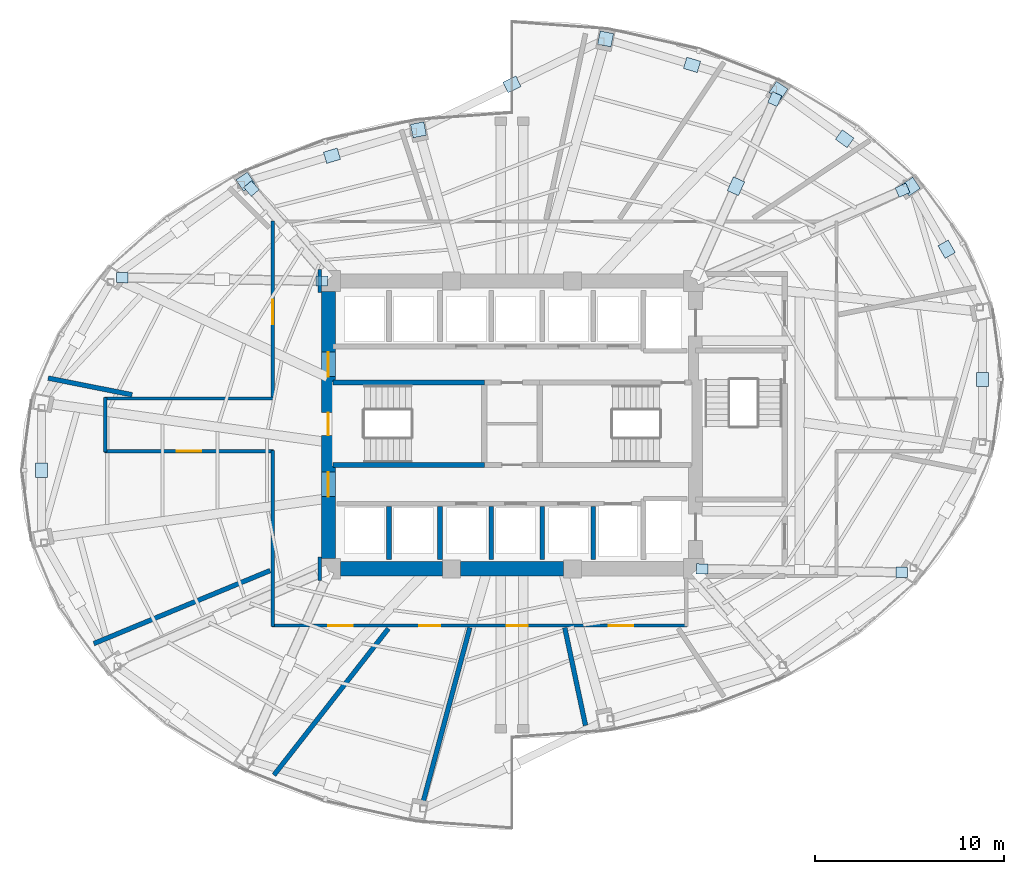
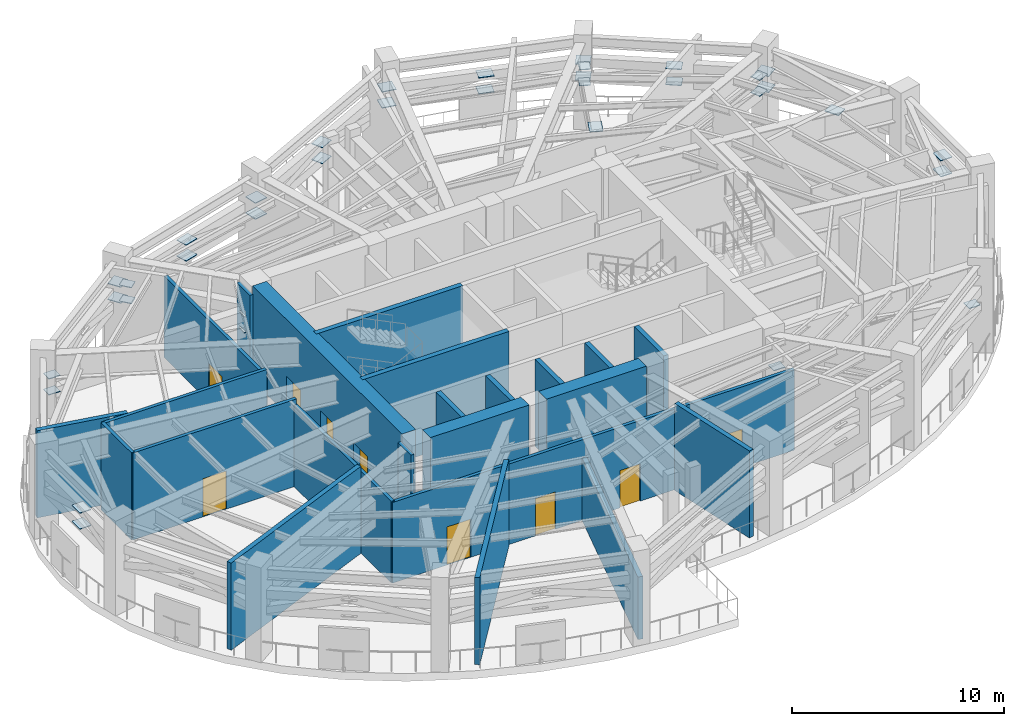
# One storey, part 7 of 12: 36 plates, 23 walls, 9 doors, 9 openings.
"""IFC4 building model written with IfcOpenShell, lengths in metres."""

from ifc_helpers import new_model, si_unit, direction, frame, frame_2d, origin, origin_2d, place, context, subcontext, project, spatial, rectangle, extrude, material, layer, layer_set, type_object, element, fill, save


model = new_model("IFC4")

# Units and contexts
model_context = context("Model", 3, precision=1e-05, world=origin(), true_north=direction((0.0, 1.0)))
body_context = subcontext(model_context, "Body", "Model", "MODEL_VIEW")
ifc_project = project(units=[si_unit("LENGTHUNIT", "METRE"), si_unit("AREAUNIT", "SQUARE_METRE"), si_unit("VOLUMEUNIT", "CUBIC_METRE"), si_unit("PLANEANGLEUNIT", "RADIAN"), si_unit("MASSUNIT", "GRAM", prefix="KILO")], contexts=[model_context])

# Site, building, storey
site_placement = place(None, origin())
site = spatial("IfcSite", under=ifc_project, at=site_placement, CompositionType="ELEMENT")
building_placement = place(site_placement, origin())
building = spatial("IfcBuilding", under=site, at=building_placement, Name="Lazwardi Medical Tower", CompositionType="ELEMENT")
storey_placement = place(building_placement, frame((0.0, 0.0, 132.81591796875)))
storey = spatial("IfcBuildingStorey", under=building, at=storey_placement, Name="L34", CompositionType="ELEMENT", Elevation=132.81591796875)

# Plates
ifc_material_1 = material(Name="Steel S460", Category="steel")
ifc_layer_1 = layer(ifc_material_1, 0.0400390625)
ifc_layer_set_1 = layer_set([ifc_layer_1], Name="Steel S460")
plate_type = type_object("IfcPlateType", Name="PLT-GUS-01", PredefinedType="USERDEFINED", material=ifc_layer_set_1)
for number, where, z_axis, x_axis, name in (
    (1, (60.86279296875, 30.39990234375, 3.580078125), (0.0, 0.0, 1.0), (0.0, 1.0, 0.0), "Belt truss gusset plate GP-01 T04 L34"),
    (2, (60.86279296875, 30.39990234375, 2.66015625), (0.0, 0.0, 1.0), (0.0, 1.0, 0.0), "Belt truss gusset plate GP-01 B04 L34"),
    (3, (58.97021484375, 37.287353515625, 2.66015625), (0.0, 0.0, 1.0), (-0.49667102347, 0.867938877136, 0.0), "Belt truss gusset plate GP-01 B05 L34"),
):
    element("IfcPlate", number, at=place(storey_placement, frame(where, z_axis=z_axis, x_axis=x_axis)), inside=storey, type_object=plate_type, Name=name, ObjectType="GUSSET_PLATE", PredefinedType="USERDEFINED", context=body_context, shape_type="SweptSolid", body=[
        extrude(rectangle(XDim=0.760009765625, YDim=0.6201171875, at=origin_2d()), origin(), (0.0, 0.0, 1.0), 0.0400390625),
    ])
for number, where, z_axis, x_axis, name in (
    (4, (57.077880859375, 40.5947265625, 2.66015625), (0.0, 0.0, 1.0), (0.831469612303, 0.55557023302, 0.0), "Belt truss column gusset plate GP-01 MB06 L34"),
    (5, (57.077880859375, 40.5947265625, 3.580078125), (0.0, 0.0, 1.0), (0.831469612303, 0.55557023302, 0.0), "Belt truss column gusset plate GP-01 MT06 L34"),
):
    element("IfcPlate", number, at=place(storey_placement, frame(where, z_axis=z_axis, x_axis=x_axis)), inside=storey, type_object=plate_type, Name=name, ObjectType="GUSSET_PLATE", PredefinedType="USERDEFINED", context=body_context, shape_type="SweptSolid", body=[
        extrude(rectangle(XDim=0.719970703125, YDim=0.719970703125, at=origin_2d()), origin(), (0.0, 0.0, 1.0), 0.0400390625),
    ])
for number, where, z_axis, x_axis, name in (
    (6, (53.580810546875, 43.126220703125, 3.580078125), (0.0, 0.0, 1.0), (-0.810041640446, 0.586372356736, 0.0), "Belt truss gusset plate GP-01 T06 L34"),
    (7, (53.580810546875, 43.126220703125, 2.66015625), (0.0, 0.0, 1.0), (-0.810041640446, 0.586372356736, 0.0), "Belt truss gusset plate GP-01 B06 L34"),
):
    element("IfcPlate", number, at=place(storey_placement, frame(where, z_axis=z_axis, x_axis=x_axis)), inside=storey, type_object=plate_type, Name=name, ObjectType="GUSSET_PLATE", PredefinedType="USERDEFINED", context=body_context, shape_type="SweptSolid", body=[
        extrude(rectangle(XDim=0.760009765625, YDim=0.6201171875, at=origin_2d()), origin(), (0.0, 0.0, 1.0), 0.0400390625),
    ])
for number, where, z_axis, x_axis, name in (
    (8, (50.083740234375, 45.657470703125, 2.66015625), (0.0, 0.0, 1.0), (0.55557023302, 0.831469612303, 0.0), "Belt truss column gusset plate GP-01 MB07 L34"),
    (9, (50.083740234375, 45.657470703125, 3.580078125), (0.0, 0.0, 1.0), (0.55557023302, 0.831469612303, 0.0), "Belt truss column gusset plate GP-01 MT07 L34"),
):
    element("IfcPlate", number, at=place(storey_placement, frame(where, z_axis=z_axis, x_axis=x_axis)), inside=storey, type_object=plate_type, Name=name, ObjectType="GUSSET_PLATE", PredefinedType="USERDEFINED", context=body_context, shape_type="SweptSolid", body=[
        extrude(rectangle(XDim=0.719970703125, YDim=0.719970703125, at=origin_2d()), origin(), (0.0, 0.0, 1.0), 0.0400390625),
    ])
for number, where, z_axis, x_axis, name in (
    (10, (45.5146484375, 47.027587890625, 3.580078125), (0.0, 0.0, 1.0), (-0.957872634129, 0.287193343912, 0.0), "Belt truss gusset plate GP-01 T07 L34"),
    (11, (45.5146484375, 47.027587890625, 2.66015625), (0.0, 0.0, 1.0), (-0.957872634129, 0.287193343912, 0.0), "Belt truss gusset plate GP-01 B07 L34"),
):
    element("IfcPlate", number, at=place(storey_placement, frame(where, z_axis=z_axis, x_axis=x_axis)), inside=storey, type_object=plate_type, Name=name, ObjectType="GUSSET_PLATE", PredefinedType="USERDEFINED", context=body_context, shape_type="SweptSolid", body=[
        extrude(rectangle(XDim=0.760009765625, YDim=0.6201171875, at=origin_2d()), origin(), (0.0, 0.0, 1.0), 0.0400390625),
    ])
for number, where, z_axis, x_axis, name in (
    (12, (40.945556640625, 48.3974609375, 2.66015625), (0.0, 0.0, 1.0), (0.195090322016, 0.980785280403, 0.0), "Belt truss column gusset plate GP-01 MB08 L34"),
    (13, (40.945556640625, 48.3974609375, 3.580078125), (0.0, 0.0, 1.0), (0.195090322016, 0.980785280403, 0.0), "Belt truss column gusset plate GP-01 MT08 L34"),
):
    element("IfcPlate", number, at=place(storey_placement, frame(where, z_axis=z_axis, x_axis=x_axis)), inside=storey, type_object=plate_type, Name=name, ObjectType="GUSSET_PLATE", PredefinedType="USERDEFINED", context=body_context, shape_type="SweptSolid", body=[
        extrude(rectangle(XDim=0.719970703125, YDim=0.719970703125, at=origin_2d()), origin(), (0.0, 0.0, 1.0), 0.0400390625),
    ])
for number, where, z_axis, x_axis, name in (
    (14, (36.0, 45.997314453125, 3.580078125), (0.0, 0.0, 1.0), (-0.899634001548, -0.436644779265, 0.0), "Belt truss gusset plate GP-01 T08 L34"),
    (15, (36.0, 45.997314453125, 2.66015625), (0.0, 0.0, 1.0), (-0.899634001548, -0.436644779265, 0.0), "Belt truss gusset plate GP-01 B08 L34"),
):
    element("IfcPlate", number, at=place(storey_placement, frame(where, z_axis=z_axis, x_axis=x_axis)), inside=storey, type_object=plate_type, Name=name, ObjectType="GUSSET_PLATE", PredefinedType="USERDEFINED", context=body_context, shape_type="SweptSolid", body=[
        extrude(rectangle(XDim=0.760009765625, YDim=0.6201171875, at=origin_2d()), origin(), (0.0, 0.0, 1.0), 0.0400390625),
    ])
for number, where, z_axis, x_axis, name in (
    (16, (31.054443359375, 43.597412109375, 2.66015625), (0.0, 0.0, 1.0), (-0.195090322016, 0.980785280403, 0.0), "Belt truss column gusset plate GP-01 MB09 L34"),
    (17, (31.054443359375, 43.597412109375, 3.580078125), (0.0, 0.0, 1.0), (-0.195090322016, 0.980785280403, 0.0), "Belt truss column gusset plate GP-01 MT09 L34"),
):
    element("IfcPlate", number, at=place(storey_placement, frame(where, z_axis=z_axis, x_axis=x_axis)), inside=storey, type_object=plate_type, Name=name, ObjectType="GUSSET_PLATE", PredefinedType="USERDEFINED", context=body_context, shape_type="SweptSolid", body=[
        extrude(rectangle(XDim=0.719970703125, YDim=0.719970703125, at=origin_2d()), origin(), (0.0, 0.0, 1.0), 0.0400390625),
    ])
for number, where, z_axis, x_axis, name in (
    (18, (26.4853515625, 42.2275390625, 3.580078125), (0.0, 0.0, 1.0), (-0.957872634129, -0.287193343912, 0.0), "Belt truss gusset plate GP-01 T09 L34"),
    (19, (26.4853515625, 42.2275390625, 2.66015625), (0.0, 0.0, 1.0), (-0.957872634129, -0.287193343912, 0.0), "Belt truss gusset plate GP-01 B09 L34"),
):
    element("IfcPlate", number, at=place(storey_placement, frame(where, z_axis=z_axis, x_axis=x_axis)), inside=storey, type_object=plate_type, Name=name, ObjectType="GUSSET_PLATE", PredefinedType="USERDEFINED", context=body_context, shape_type="SweptSolid", body=[
        extrude(rectangle(XDim=0.760009765625, YDim=0.6201171875, at=origin_2d()), origin(), (0.0, 0.0, 1.0), 0.0400390625),
    ])
for number, where, z_axis, x_axis, name in (
    (20, (21.916259765625, 40.857421875, 2.66015625), (0.0, 0.0, 1.0), (-0.55557023302, 0.831469612303, 0.0), "Belt truss column gusset plate GP-01 MB10 L34"),
    (21, (21.916259765625, 40.857421875, 3.580078125), (0.0, 0.0, 1.0), (-0.55557023302, 0.831469612303, 0.0), "Belt truss column gusset plate GP-01 MT10 L34"),
):
    element("IfcPlate", number, at=place(storey_placement, frame(where, z_axis=z_axis, x_axis=x_axis)), inside=storey, type_object=plate_type, Name=name, ObjectType="GUSSET_PLATE", PredefinedType="USERDEFINED", context=body_context, shape_type="SweptSolid", body=[
        extrude(rectangle(XDim=0.719970703125, YDim=0.719970703125, at=origin_2d()), origin(), (0.0, 0.0, 1.0), 0.0400390625),
    ])
for number, where, z_axis, x_axis, name in (
    (22, (11.13720703125, 25.60009765625, 3.580078125), (0.0, 0.0, 1.0), (0.0, -1.0, 0.0), "Belt truss gusset plate GP-01 T12 L34"),
    (23, (11.13720703125, 25.60009765625, 2.66015625), (0.0, 0.0, 1.0), (0.0, -1.0, 0.0), "Belt truss gusset plate GP-01 B12 L34"),
):
    element("IfcPlate", number, at=place(storey_placement, frame(where, z_axis=z_axis, x_axis=x_axis)), inside=storey, type_object=plate_type, Name=name, ObjectType="GUSSET_PLATE", PredefinedType="USERDEFINED", context=body_context, shape_type="SweptSolid", body=[
        extrude(rectangle(XDim=0.760009765625, YDim=0.6201171875, at=origin_2d()), origin(), (0.0, 0.0, 1.0), 0.0400390625),
    ])
for number, where, z_axis, x_axis, name in (
    (24, (46.0498046875, 20.392333984375, 2.66015625), (0.0, 0.0, 1.0), (0.999856696158, -0.01692888504, 0.0), "Outrigger core gusset plate GP-01 OR4CB L34"),
    (25, (56.597900390625, 20.21337890625, 2.66015625), (0.0, 0.0, 1.0), (0.999856696158, -0.01692888504, 0.0), "Outrigger perimeter gusset plate GP-01 OR4MB L34"),
    (26, (56.6376953125, 40.4033203125, 2.66015625), (0.0, 0.0, 1.0), (0.916920828835, 0.39906915898, 0.0), "Outrigger perimeter gusset plate GP-01 OR5MB L34"),
    (27, (56.6376953125, 40.4033203125, 3.580078125), (0.0, 0.0, 1.0), (0.916920828835, 0.39906915898, 0.0), "Outrigger perimeter gusset plate GP-01 OR5MT L34"),
):
    element("IfcPlate", number, at=place(storey_placement, frame(where, z_axis=z_axis, x_axis=x_axis)), inside=storey, type_object=plate_type, Name=name, ObjectType="GUSSET_PLATE", PredefinedType="USERDEFINED", context=body_context, shape_type="SweptSolid", body=[
        extrude(rectangle(XDim=0.6201171875, YDim=0.5400390625, at=origin_2d()), origin(), (0.0, 0.0, 1.0), 0.0400390625),
    ])
plate_placement = place(storey_placement, frame((47.835693359375, 40.614990234375, 3.580078125), z_axis=(0.0, 0.0, 1.0), x_axis=(0.407214918582, 0.913332365617, 0.0)))
element("IfcPlate", 28, at=plate_placement, inside=storey, type_object=plate_type, Name="Outrigger truss gusset plate GP-01 OR6 L34", ObjectType="GUSSET_PLATE", PredefinedType="USERDEFINED", context=body_context, shape_type="SweptSolid", body=[
    extrude(rectangle(XDim=0.800048828125, YDim=0.64990234375, at=origin_2d()), origin(), (0.0, 0.0, 1.0), 0.0400390625),
])
for number, where, z_axis, x_axis, name in (
    (29, (49.88818359375, 45.218994140625, 2.66015625), (0.0, 0.0, 1.0), (0.407214918582, 0.913332365617, 0.0), "Outrigger perimeter gusset plate GP-01 OR6MB L34"),
    (30, (49.88818359375, 45.218994140625, 3.580078125), (0.0, 0.0, 1.0), (0.407214918582, 0.913332365617, 0.0), "Outrigger perimeter gusset plate GP-01 OR6MT L34"),
    (31, (22.227783203125, 40.4921875, 2.66015625), (0.0, 0.0, 1.0), (-0.648917026597, 0.760859180527, 0.0), "Outrigger perimeter gusset plate GP-01 OR7MB L34"),
    (32, (22.227783203125, 40.4921875, 3.580078125), (0.0, 0.0, 1.0), (-0.648917026597, 0.760859180527, 0.0), "Outrigger perimeter gusset plate GP-01 OR7MT L34"),
    (33, (25.9501953125, 35.607666015625, 2.66015625), (0.0, 0.0, 1.0), (-0.999856696158, 0.01692888504, 0.0), "Outrigger core gusset plate GP-01 OR8CB L34"),
    (34, (25.9501953125, 35.607666015625, 3.580078125), (0.0, 0.0, 1.0), (-0.999856696158, 0.01692888504, 0.0), "Outrigger core gusset plate GP-01 OR8CT L34"),
    (35, (15.402099609375, 35.78662109375, 2.66015625), (0.0, 0.0, 1.0), (-0.999856696158, 0.01692888504, 0.0), "Outrigger perimeter gusset plate GP-01 OR8MB L34"),
    (36, (15.402099609375, 35.78662109375, 3.580078125), (0.0, 0.0, 1.0), (-0.999856696158, 0.01692888504, 0.0), "Outrigger perimeter gusset plate GP-01 OR8MT L34"),
):
    element("IfcPlate", number, at=place(storey_placement, frame(where, z_axis=z_axis, x_axis=x_axis)), inside=storey, type_object=plate_type, Name=name, ObjectType="GUSSET_PLATE", PredefinedType="USERDEFINED", context=body_context, shape_type="SweptSolid", body=[
        extrude(rectangle(XDim=0.6201171875, YDim=0.5400390625, at=origin_2d()), origin(), (0.0, 0.0, 1.0), 0.0400390625),
    ])

# Walls
ifc_material_2 = material(Name="Fire-rated gypsum board on steel stud", Category="steel")
ifc_layer_2 = layer(ifc_material_2, 0.179931640625)
ifc_layer_set_2 = layer_set([ifc_layer_2], Name="Fire-rated gypsum board on steel stud")
wall_type_1 = type_object("IfcWallType", Name="WL-COR-180", PredefinedType="PARTITIONING", material=ifc_layer_set_2)
wall_1_placement = place(storey_placement, frame((14.5, 26.56005859375, 0.0), z_axis=(0.0, 0.0, 1.0), x_axis=(0.0, 1.0, 0.0)))
element("IfcWall", 37, at=wall_1_placement, inside=storey, type_object=wall_type_1, Name="L34 Corridor partition 1", PredefinedType="PARTITIONING", context=body_context, shape_type="SweptSolid", body=[
    extrude(rectangle(XDim=2.8798828125, YDim=0.179931640625, at=frame_2d((1.43994140625, 0.0))), origin(), (0.0, 0.0, 1.0), 5.02197265625),
])
wall_2_placement = place(storey_placement, frame((14.4599609375, 29.39990234375, 0.0), z_axis=(0.0, 0.0, 1.0), x_axis=(1.0, 0.0, 0.0)))
element("IfcWall", 38, at=wall_2_placement, inside=storey, type_object=wall_type_1, Name="L34 Corridor partition 2", PredefinedType="PARTITIONING", context=body_context, shape_type="SweptSolid", body=[
    extrude(rectangle(XDim=8.929931640625, YDim=0.179931640625, at=frame_2d((4.46484375, 0.0))), origin(), (0.0, 0.0, 1.0), 5.02197265625),
])

# Wall, opening, door
wall_3_placement = place(storey_placement, frame((23.35009765625, 29.360107421875, 0.0), z_axis=(0.0, 0.0, 1.0), x_axis=(0.0, 1.0, 0.0)))
wall_3 = element("IfcWall", 39, at=wall_3_placement, inside=storey, type_object=wall_type_1, Name="L34 Corridor partition 3", PredefinedType="PARTITIONING", context=body_context, shape_type="SweptSolid", body=[
    extrude(rectangle(XDim=9.429931640625, YDim=0.179931640625, at=frame_2d((4.71484375, 0.0))), origin(), (0.0, 0.0, 1.0), 4.70703125),
])
opening_1_placement = place(wall_3_placement, frame((3.967529296875, 0.0, 0.0)))
opening_1 = element("IfcOpeningElement", 40, at=opening_1_placement, cuts=wall_3, Name="Opening D-L34-019", PredefinedType="OPENING", context=body_context, shape_type="SweptSolid", body=[
    extrude(rectangle(XDim=1.300048828125, YDim=2.199951171875, at=frame_2d((0.64990234375, 1.10009765625))), frame((0.0, 0.099853515625, 0.0), z_axis=(0.0, -1.0, 0.0), x_axis=(1.0, 0.0, 0.0)), (0.0, 0.0, 1.0), 0.199951171875),
])
ifc_material_3 = material(Name="Fire-rated steel leaf and frame", Category="steel")
door_type_1 = type_object("IfcDoorType", Name="DR-FFL-1300", OperationType="NOTDEFINED", PredefinedType="DOOR", material=ifc_material_3)
door_1_placement = place(opening_1_placement, origin())
door_1 = element("IfcDoor", 41, at=door_1_placement, inside=storey, type_object=door_type_1, Name="L34 Area of Refuge Door 13", OperationType="SINGLE_SWING_LEFT", OverallHeight=2.199951171875, OverallWidth=1.300048828125, PredefinedType="DOOR", context=body_context, shape_type="SweptSolid", body=[
    extrude(rectangle(XDim=1.300048828125, YDim=2.199951171875, at=frame_2d((0.64990234375, 1.10009765625))), frame((0.0, 0.02490234375, 0.0), z_axis=(0.0, -1.0, 0.0), x_axis=(1.0, 0.0, 0.0)), (0.0, 0.0, 1.0), 0.050048828125),
])
fill(opening_1, door_1)

# Walls
for number, where, z_axis, x_axis, name in (
    (42, (25.830078125, 36.2099609375, 0.0), (0.0, 0.0, 1.0), (0.0, -1.0, 0.0), "L34 Corridor partition 11"),
    (43, (25.830078125, 21.010009765625, 0.0), (0.0, 0.0, 1.0), (0.0, -1.0, 0.0), "L34 Corridor partition 12"),
):
    element("IfcWall", number, at=place(storey_placement, frame(where, z_axis=z_axis, x_axis=x_axis)), inside=storey, type_object=wall_type_1, Name=name, PredefinedType="PARTITIONING", context=body_context, shape_type="SweptSolid", body=[
        extrude(rectangle(XDim=1.219970703125, YDim=0.179931640625, at=frame_2d((0.60986328125, 0.0))), origin(), (0.0, 0.0, 1.0), 5.02197265625),
    ])

# Wall, openings, doors
wall_4_placement = place(storey_placement, frame((45.239990234375, 17.39990234375, 0.0), z_axis=(0.0, 0.0, 1.0), x_axis=(-1.0, 0.0, 0.0)))
wall_4 = element("IfcWall", 44, at=wall_4_placement, inside=storey, type_object=wall_type_1, Name="L34 Corridor partition 14", PredefinedType="PARTITIONING", context=body_context, shape_type="SweptSolid", body=[
    extrude(rectangle(XDim=21.929931640625, YDim=0.179931640625, at=frame_2d((10.96484375, 0.0))), origin(), (0.0, 0.0, 1.0), 4.64697265625),
])
opening_2_placement = place(wall_4_placement, frame((17.659423828125, 0.0, 0.0)))
opening_2 = element("IfcOpeningElement", 45, at=opening_2_placement, cuts=wall_4, Name="Opening D-L34-008", PredefinedType="OPENING", context=body_context, shape_type="SweptSolid", body=[
    extrude(rectangle(XDim=1.300048828125, YDim=2.199951171875, at=frame_2d((0.64990234375, 1.10009765625))), frame((0.0, 0.099853515625, 0.0), z_axis=(0.0, -1.0, 0.0), x_axis=(1.0, 0.0, 0.0)), (0.0, 0.0, 1.0), 0.199951171875),
])
opening_3_placement = place(wall_4_placement, frame((13.034912109375, 0.0, 0.0)))
opening_3 = element("IfcOpeningElement", 46, at=opening_3_placement, cuts=wall_4, Name="Opening D-L34-009", PredefinedType="OPENING", context=body_context, shape_type="SweptSolid", body=[
    extrude(rectangle(XDim=1.10009765625, YDim=2.14990234375, at=frame_2d((0.550048828125, 1.074951171875))), frame((0.0, 0.099853515625, 0.0), z_axis=(0.0, -1.0, 0.0), x_axis=(1.0, 0.0, 0.0)), (0.0, 0.0, 1.0), 0.199951171875),
])
opening_4_placement = place(wall_4_placement, frame((8.40869140625, 0.0, 0.0)))
opening_4 = element("IfcOpeningElement", 47, at=opening_4_placement, cuts=wall_4, Name="Opening D-L34-010", PredefinedType="OPENING", context=body_context, shape_type="SweptSolid", body=[
    extrude(rectangle(XDim=1.10009765625, YDim=2.14990234375, at=frame_2d((0.550048828125, 1.074951171875))), frame((0.0, 0.099853515625, 0.0), z_axis=(0.0, -1.0, 0.0), x_axis=(1.0, 0.0, 0.0)), (0.0, 0.0, 1.0), 0.199951171875),
])
opening_5_placement = place(wall_4_placement, frame((2.83056640625, 0.0, 0.0)))
opening_5 = element("IfcOpeningElement", 48, at=opening_5_placement, cuts=wall_4, Name="Opening D-L34-011", PredefinedType="OPENING", context=body_context, shape_type="SweptSolid", body=[
    extrude(rectangle(XDim=1.300048828125, YDim=2.199951171875, at=frame_2d((0.64990234375, 1.10009765625))), frame((0.0, 0.099853515625, 0.0), z_axis=(0.0, -1.0, 0.0), x_axis=(1.0, 0.0, 0.0)), (0.0, 0.0, 1.0), 0.199951171875),
])
door_2_placement = place(opening_2_placement, origin())
door_2 = element("IfcDoor", 49, at=door_2_placement, inside=storey, type_object=door_type_1, Name="L34 Area of Refuge Door 02", OperationType="SINGLE_SWING_RIGHT", OverallHeight=2.199951171875, OverallWidth=1.300048828125, PredefinedType="DOOR", context=body_context, shape_type="SweptSolid", body=[
    extrude(rectangle(XDim=1.300048828125, YDim=2.199951171875, at=frame_2d((0.64990234375, 1.10009765625))), frame((0.0, 0.02490234375, 0.0), z_axis=(0.0, -1.0, 0.0), x_axis=(1.0, 0.0, 0.0)), (0.0, 0.0, 1.0), 0.050048828125),
])
fill(opening_2, door_2)
door_3_placement = place(opening_5_placement, origin())
door_3 = element("IfcDoor", 50, at=door_3_placement, inside=storey, type_object=door_type_1, Name="L34 Area of Refuge Door 05", OperationType="SINGLE_SWING_LEFT", OverallHeight=2.199951171875, OverallWidth=1.300048828125, PredefinedType="DOOR", context=body_context, shape_type="SweptSolid", body=[
    extrude(rectangle(XDim=1.300048828125, YDim=2.199951171875, at=frame_2d((0.64990234375, 1.10009765625))), frame((0.0, 0.02490234375, 0.0), z_axis=(0.0, -1.0, 0.0), x_axis=(1.0, 0.0, 0.0)), (0.0, 0.0, 1.0), 0.050048828125),
])
fill(opening_5, door_3)
door_type_2 = type_object("IfcDoorType", Name="DR-PLT-1100", OperationType="NOTDEFINED", PredefinedType="DOOR", material=ifc_material_3)
door_4_placement = place(opening_3_placement, origin())
door_4 = element("IfcDoor", 51, at=door_4_placement, inside=storey, type_object=door_type_2, Name="L34 Chiller Plant Room Door 03", OperationType="SINGLE_SWING_LEFT", OverallHeight=2.14990234375, OverallWidth=1.10009765625, PredefinedType="DOOR", context=body_context, shape_type="SweptSolid", body=[
    extrude(rectangle(XDim=1.10009765625, YDim=2.14990234375, at=frame_2d((0.550048828125, 1.074951171875))), frame((0.0, 0.02490234375, 0.0), z_axis=(0.0, -1.0, 0.0), x_axis=(1.0, 0.0, 0.0)), (0.0, 0.0, 1.0), 0.050048828125),
])
fill(opening_3, door_4)
door_5_placement = place(opening_4_placement, origin())
door_5 = element("IfcDoor", 52, at=door_5_placement, inside=storey, type_object=door_type_2, Name="L34 AHU Plant Room Door 04", OperationType="SINGLE_SWING_RIGHT", OverallHeight=2.14990234375, OverallWidth=1.10009765625, PredefinedType="DOOR", context=body_context, shape_type="SweptSolid", body=[
    extrude(rectangle(XDim=1.10009765625, YDim=2.14990234375, at=frame_2d((0.550048828125, 1.074951171875))), frame((0.0, 0.02490234375, 0.0), z_axis=(0.0, -1.0, 0.0), x_axis=(1.0, 0.0, 0.0)), (0.0, 0.0, 1.0), 0.050048828125),
])
fill(opening_4, door_5)

# Wall
wall_5_placement = place(storey_placement, frame((23.35009765625, 17.360107421875, 0.0), z_axis=(0.0, 0.0, 1.0), x_axis=(0.0, 1.0, 0.0)))
element("IfcWall", 53, at=wall_5_placement, inside=storey, type_object=wall_type_1, Name="L34 Corridor partition 15", PredefinedType="PARTITIONING", context=body_context, shape_type="SweptSolid", body=[
    extrude(rectangle(XDim=9.27978515625, YDim=0.179931640625, at=frame_2d((4.639892578125, 0.0))), origin(), (0.0, 0.0, 1.0), 4.70703125),
])

# Wall, opening, door
wall_6_placement = place(storey_placement, frame((23.389892578125, 26.60009765625, 0.0), z_axis=(0.0, 0.0, 1.0), x_axis=(-1.0, 0.0, 0.0)))
wall_6 = element("IfcWall", 54, at=wall_6_placement, inside=storey, type_object=wall_type_1, Name="L34 Corridor partition 16", PredefinedType="PARTITIONING", context=body_context, shape_type="SweptSolid", body=[
    extrude(rectangle(XDim=8.929931640625, YDim=0.179931640625, at=frame_2d((4.46484375, 0.0))), origin(), (0.0, 0.0, 1.0), 5.02197265625),
])
opening_6_placement = place(wall_6_placement, frame((3.81494140625, 0.0, 0.0)))
opening_6 = element("IfcOpeningElement", 55, at=opening_6_placement, cuts=wall_6, Name="Opening D-L34-007", PredefinedType="OPENING", context=body_context, shape_type="SweptSolid", body=[
    extrude(rectangle(XDim=1.300048828125, YDim=2.199951171875, at=frame_2d((0.64990234375, 1.10009765625))), frame((0.0, 0.099853515625, 0.0), z_axis=(0.0, -1.0, 0.0), x_axis=(1.0, 0.0, 0.0)), (0.0, 0.0, 1.0), 0.199951171875),
])
door_6_placement = place(opening_6_placement, origin())
door_6 = element("IfcDoor", 56, at=door_6_placement, inside=storey, type_object=door_type_1, Name="L34 Area of Refuge Door 01", OperationType="SINGLE_SWING_LEFT", OverallHeight=2.199951171875, OverallWidth=1.300048828125, PredefinedType="DOOR", context=body_context, shape_type="SweptSolid", body=[
    extrude(rectangle(XDim=1.300048828125, YDim=2.199951171875, at=frame_2d((0.64990234375, 1.10009765625))), frame((0.0, 0.02490234375, 0.0), z_axis=(0.0, -1.0, 0.0), x_axis=(1.0, 0.0, 0.0)), (0.0, 0.0, 1.0), 0.050048828125),
])
fill(opening_6, door_6)

# Wall, openings, doors
ifc_material_4 = material(Name="Concrete C70/85", Category="concrete")
ifc_layer_3 = layer(ifc_material_4, 0.75)
ifc_layer_set_3 = layer_set([ifc_layer_3], Name="Concrete C70/85")
wall_type_2 = type_object("IfcWallType", Name="WL-CORE-750", PredefinedType="SHEAR", material=ifc_layer_set_3)
wall_7_placement = place(storey_placement, frame((26.300048828125, 20.949951171875, 0.0), z_axis=(0.0, 0.0, 1.0), x_axis=(0.0, 1.0, 0.0)))
wall_7 = element("IfcWall", 57, at=wall_7_placement, inside=storey, type_object=wall_type_2, Name="Core wall CW-S2 west L34", PredefinedType="SHEAR", context=body_context, shape_type="SweptSolid", body=[
    extrude(rectangle(XDim=14.10009765625, YDim=0.75, at=frame_2d((7.050048828125, 0.0))), origin(), (0.0, 0.0, 1.0), 5.47216796875),
])
opening_7_placement = place(wall_7_placement, frame((6.5, 0.0, 0.0)))
opening_7 = element("IfcOpeningElement", 58, at=opening_7_placement, cuts=wall_7, Name="Opening D-L34-020", PredefinedType="OPENING", context=body_context, shape_type="SweptSolid", body=[
    extrude(rectangle(XDim=1.199951171875, YDim=2.14990234375, at=frame_2d((0.60009765625, 1.074951171875))), frame((0.0, 0.385009765625, 0.0), z_axis=(0.0, -1.0, 0.0), x_axis=(1.0, 0.0, 0.0)), (0.0, 0.0, 1.0), 0.77001953125),
])
opening_8_placement = place(wall_7_placement, frame((9.60009765625, 0.0, 0.0)))
opening_8 = element("IfcOpeningElement", 59, at=opening_8_placement, cuts=wall_7, Name="Opening D-L34-005", PredefinedType="OPENING", context=body_context, shape_type="SweptSolid", body=[
    extrude(rectangle(XDim=1.300048828125, YDim=2.199951171875, at=frame_2d((0.64990234375, 1.10009765625))), frame((0.0, 0.385009765625, 0.0), z_axis=(0.0, -1.0, 0.0), x_axis=(1.0, 0.0, 0.0)), (0.0, 0.0, 1.0), 0.77001953125),
])
opening_9_placement = place(wall_7_placement, frame((3.260009765625, 0.0, 0.0)))
opening_9 = element("IfcOpeningElement", 60, at=opening_9_placement, cuts=wall_7, Name="Opening D-L34-006", PredefinedType="OPENING", context=body_context, shape_type="SweptSolid", body=[
    extrude(rectangle(XDim=1.300048828125, YDim=2.199951171875, at=frame_2d((0.64990234375, 1.10009765625))), frame((0.0, 0.385009765625, 0.0), z_axis=(0.0, -1.0, 0.0), x_axis=(1.0, 0.0, 0.0)), (0.0, 0.0, 1.0), 0.77001953125),
])
door_7_placement = place(opening_8_placement, origin())
door_7 = element("IfcDoor", 61, at=door_7_placement, inside=storey, type_object=door_type_1, Name="L34 North Lift Lobby Door", OperationType="SINGLE_SWING_RIGHT", OverallHeight=2.199951171875, OverallWidth=1.300048828125, PredefinedType="DOOR", context=body_context, shape_type="SweptSolid", body=[
    extrude(rectangle(XDim=1.300048828125, YDim=2.199951171875, at=frame_2d((0.64990234375, 1.10009765625))), frame((0.0, 0.02490234375, 0.0), z_axis=(0.0, -1.0, 0.0), x_axis=(1.0, 0.0, 0.0)), (0.0, 0.0, 1.0), 0.050048828125),
])
fill(opening_8, door_7)
door_8_placement = place(opening_9_placement, origin())
door_8 = element("IfcDoor", 62, at=door_8_placement, inside=storey, type_object=door_type_1, Name="L34 South Lift Lobby Door", OperationType="SINGLE_SWING_LEFT", OverallHeight=2.199951171875, OverallWidth=1.300048828125, PredefinedType="DOOR", context=body_context, shape_type="SweptSolid", body=[
    extrude(rectangle(XDim=1.300048828125, YDim=2.199951171875, at=frame_2d((0.64990234375, 1.10009765625))), frame((0.0, 0.02490234375, 0.0), z_axis=(0.0, -1.0, 0.0), x_axis=(1.0, 0.0, 0.0)), (0.0, 0.0, 1.0), 0.050048828125),
])
fill(opening_9, door_8)
door_type_3 = type_object("IfcDoorType", Name="DR-STR-1200", OperationType="NOTDEFINED", PredefinedType="DOOR", material=ifc_material_3)
door_9_placement = place(opening_7_placement, origin())
door_9 = element("IfcDoor", 63, at=door_9_placement, inside=storey, type_object=door_type_3, Name="L34 Exit Stair ST1 Door", OperationType="SINGLE_SWING_RIGHT", OverallHeight=2.14990234375, OverallWidth=1.199951171875, PredefinedType="DOOR", context=body_context, shape_type="SweptSolid", body=[
    extrude(rectangle(XDim=1.199951171875, YDim=2.14990234375, at=frame_2d((0.60009765625, 1.074951171875))), frame((0.0, 0.02490234375, 0.0), z_axis=(0.0, -1.0, 0.0), x_axis=(1.0, 0.0, 0.0)), (0.0, 0.0, 1.0), 0.050048828125),
])
fill(opening_7, door_9)

# Walls
wall_8_placement = place(storey_placement, frame((26.949951171875, 20.39990234375, 0.0), z_axis=(0.0, 0.0, 1.0), x_axis=(1.0, 0.0, 0.0)))
element("IfcWall", 64, at=wall_8_placement, inside=storey, type_object=wall_type_2, Name="Core wall CW-S2 S1 L34", PredefinedType="SHEAR", context=body_context, shape_type="SweptSolid", body=[
    extrude(rectangle(XDim=5.375, YDim=0.75, at=frame_2d((2.6875, 0.0))), origin(), (0.0, 0.0, 1.0), 5.47216796875),
])
wall_9_placement = place(storey_placement, frame((33.27490234375, 20.39990234375, 0.0), z_axis=(0.0, 0.0, 1.0), x_axis=(1.0, 0.0, 0.0)))
element("IfcWall", 65, at=wall_9_placement, inside=storey, type_object=wall_type_2, Name="Core wall CW-S2 S2 L34", PredefinedType="SHEAR", context=body_context, shape_type="SweptSolid", body=[
    extrude(rectangle(XDim=5.4501953125, YDim=0.75, at=frame_2d((2.72509765625, 0.0))), origin(), (0.0, 0.0, 1.0), 5.47216796875),
])
ifc_material_5 = material(Name="Autoclaved aerated concrete blockwork", Category="masonry")
ifc_layer_4 = layer(ifc_material_5, 0.25)
ifc_layer_set_4 = layer_set([ifc_layer_4], Name="Autoclaved aerated concrete blockwork")
wall_type_3 = type_object("IfcWallType", Name="WL-SHAFT-250", PredefinedType="SOLIDWALL", material=ifc_layer_set_4)
for number, where, z_axis, x_axis, name in (
    (66, (29.5, 20.89990234375, 0.0), (0.0, 0.0, 1.0), (0.0, 1.0, 0.0), "L34 South hoistway divider"),
    (67, (32.199951171875, 20.89990234375, 0.0), (0.0, 0.0, 1.0), (0.0, 1.0, 0.0), "L34 South hoistway divider"),
    (68, (34.89990234375, 20.89990234375, 0.0), (0.0, 0.0, 1.0), (0.0, 1.0, 0.0), "L34 South hoistway divider"),
    (69, (37.60009765625, 20.89990234375, 0.0), (0.0, 0.0, 1.0), (0.0, 1.0, 0.0), "L34 South hoistway divider"),
    (70, (40.300048828125, 20.89990234375, 0.0), (0.0, 0.0, 1.0), (0.0, 1.0, 0.0), "L34 South hoistway divider"),
):
    element("IfcWall", number, at=place(storey_placement, frame(where, z_axis=z_axis, x_axis=x_axis)), inside=storey, type_object=wall_type_3, Name=name, PredefinedType="SOLIDWALL", context=body_context, shape_type="SweptSolid", body=[
        extrude(rectangle(XDim=2.800048828125, YDim=0.25, at=frame_2d((1.39990234375, 0.0))), origin(), (0.0, 0.0, 1.0), 5.02197265625),
    ])
wall_10_placement = place(storey_placement, frame((38.787353515625, 17.286376953125, 0.0), z_axis=(0.0, 0.0, 1.0), x_axis=(0.207922319459, -0.978145341486, 0.0)))
element("IfcWall", 71, at=wall_10_placement, inside=storey, type_object=wall_type_3, Name="L34 Room partition 1", PredefinedType="SOLIDWALL", context=body_context, shape_type="SweptSolid", body=[
    extrude(rectangle(XDim=5.28271484375, YDim=0.25, at=frame_2d((2.641357421875, 0.0))), origin(), (0.0, 0.0, 1.0), 5.02197265625),
])
wall_11_placement = place(storey_placement, frame((15.923095703125, 29.593505859375, 0.0), z_axis=(0.0, 0.0, 1.0), x_axis=(-0.98077940709, 0.195119846833, 0.0)))
element("IfcWall", 72, at=wall_11_placement, inside=storey, type_object=wall_type_3, Name="L34 Room partition 10", PredefinedType="SOLIDWALL", context=body_context, shape_type="SweptSolid", body=[
    extrude(rectangle(XDim=4.5244140625, YDim=0.25, at=frame_2d((2.26220703125, 0.0))), origin(), (0.0, 0.0, 1.0), 5.02197265625),
])
wall_12_placement = place(storey_placement, frame((23.216552734375, 20.304931640625, 0.0), z_axis=(0.0, 0.0, 1.0), x_axis=(-0.923880790032, -0.382680396427, 0.0)))
element("IfcWall", 73, at=wall_12_placement, inside=storey, type_object=wall_type_3, Name="L34 Room partition 11", PredefinedType="SOLIDWALL", context=body_context, shape_type="SweptSolid", body=[
    extrude(rectangle(XDim=10.083251953125, YDim=0.25, at=frame_2d((5.04150390625, 0.0))), origin(), (0.0, 0.0, 1.0), 5.02197265625),
])
wall_13_placement = place(storey_placement, frame((29.46728515625, 17.238525390625, 0.0), z_axis=(0.0, 0.0, 1.0), x_axis=(-0.615661890961, -0.788010428877, 0.0)))
element("IfcWall", 74, at=wall_13_placement, inside=storey, type_object=wall_type_3, Name="L34 Room partition 12", PredefinedType="SOLIDWALL", context=body_context, shape_type="SweptSolid", body=[
    extrude(rectangle(XDim=9.821044921875, YDim=0.25, at=frame_2d((4.91064453125, 0.0))), origin(), (0.0, 0.0, 1.0), 5.02197265625),
])
wall_14_placement = place(storey_placement, frame((33.772705078125, 17.287109375, 0.0), z_axis=(0.0, 0.0, 1.0), x_axis=(-0.258842443141, -0.9659195565, 0.0)))
element("IfcWall", 75, at=wall_14_placement, inside=storey, type_object=wall_type_3, Name="L34 Room partition 13", PredefinedType="SOLIDWALL", context=body_context, shape_type="SweptSolid", body=[
    extrude(rectangle(XDim=10.17333984375, YDim=0.25, at=frame_2d((5.086669921875, 0.0))), origin(), (0.0, 0.0, 1.0), 3.607177734375),
])
ifc_material_6 = material(Name="Concrete C50/60", Category="concrete")
ifc_layer_5 = layer(ifc_material_6, 0.27001953125)
ifc_layer_set_5 = layer_set([ifc_layer_5], Name="Concrete C50/60")
wall_type_4 = type_object("IfcWallType", Name="WL-STR-250", PredefinedType="SHEAR", material=ifc_layer_set_5)
for number, where, z_axis, x_axis, name in (
    (76, (26.550048828125, 30.235107421875, 0.0), (0.0, 0.0, 1.0), (1.0, 0.0, 0.0), "L34 ST1 North shear shaft wall SW-S1"),
    (77, (26.550048828125, 25.885009765625, 0.0), (0.0, 0.0, 1.0), (1.0, 0.0, 0.0), "L34 ST1 South shear shaft wall SW-S1"),
):
    element("IfcWall", number, at=place(storey_placement, frame(where, z_axis=z_axis, x_axis=x_axis)), inside=storey, type_object=wall_type_4, Name=name, PredefinedType="SHEAR", context=body_context, shape_type="SweptSolid", body=[
        extrude(rectangle(XDim=7.98486328125, YDim=0.27001953125, at=frame_2d((3.992431640625, 0.0))), origin(), (0.0, 0.0, 1.0), 5.47216796875),
    ])

save(model, "model.ifc")
